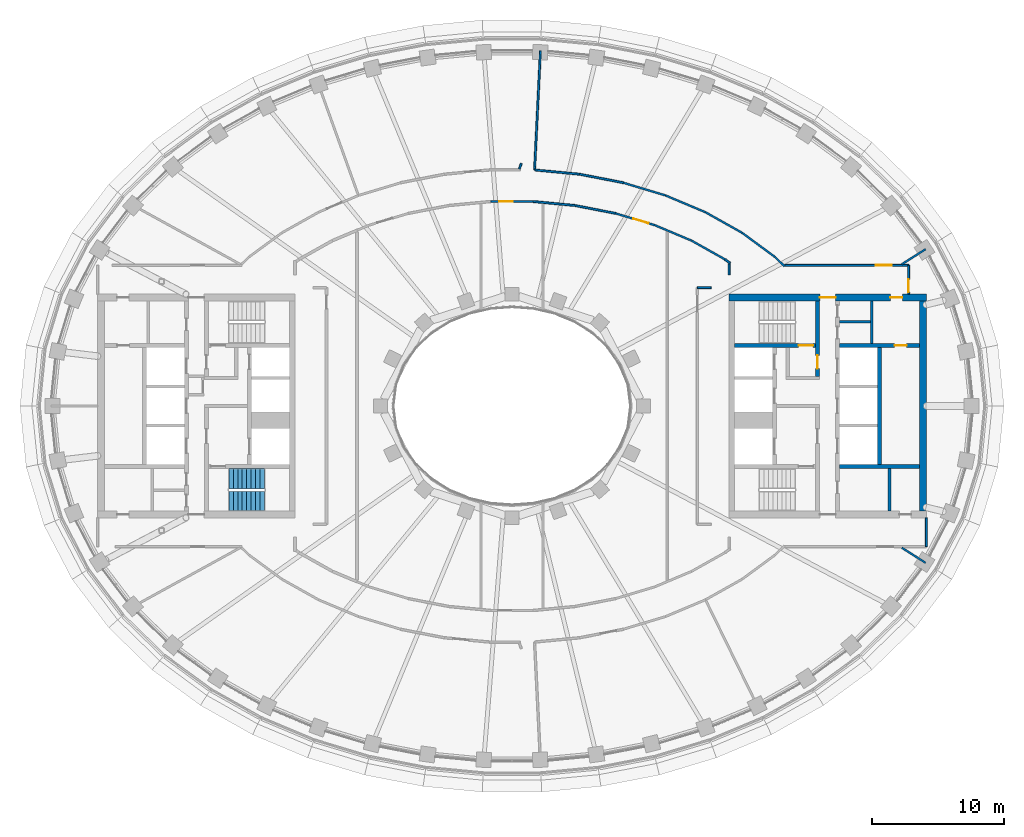
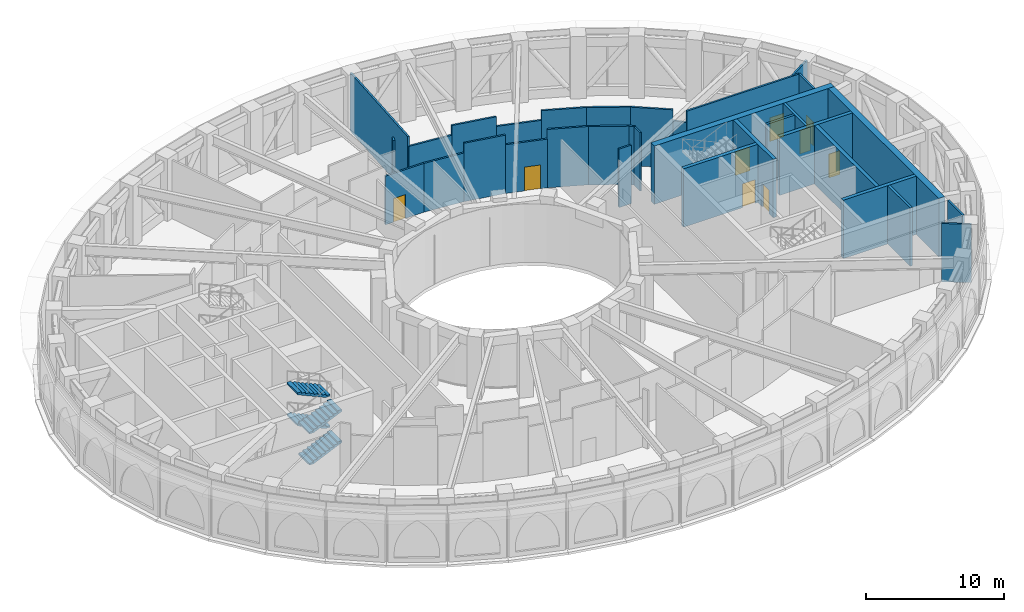
# One storey, part 9 of 25: 33 walls, 9 doors, 4 stair flights, 9 openings, 1 element without a shape of its own.
"""IFC4 building model written with IfcOpenShell, lengths in metres."""

from ifc_helpers import new_model, si_unit, direction, frame, frame_2d, origin, place, context, subcontext, project, spatial, polyline, rectangle, outline, extrude, material, layer, layer_set, type_object, element, fill, aggregate, save


model = new_model("IFC4")

# Units and contexts
model_context = context("Model", 3, precision=1e-05, world=origin(), true_north=direction((0.0, 1.0)))
body_context = subcontext(model_context, "Body", "Model", "MODEL_VIEW")
ifc_project = project(units=[si_unit("LENGTHUNIT", "METRE"), si_unit("AREAUNIT", "SQUARE_METRE"), si_unit("VOLUMEUNIT", "CUBIC_METRE"), si_unit("PLANEANGLEUNIT", "RADIAN"), si_unit("MASSUNIT", "GRAM", prefix="KILO")], contexts=[model_context])

# Site, building, storey
site_placement = place(None, origin())
site = spatial("IfcSite", under=ifc_project, at=site_placement, CompositionType="ELEMENT")
building_placement = place(site_placement, origin())
building = spatial("IfcBuilding", under=site, at=building_placement, Name="Noorbagh Ring Tower", CompositionType="ELEMENT")
storey_placement = place(building_placement, frame((0.0, 0.0, 198.0)))
storey = spatial("IfcBuildingStorey", under=building, at=storey_placement, Name="L46", CompositionType="ELEMENT", Elevation=198.0)

# Wall, opening, door
ifc_material_1 = material(Name="Gypsum board on steel studs", Category="steel")
ifc_layer_1 = layer(ifc_material_1, 0.14990234375)
ifc_layer_set_1 = layer_set([ifc_layer_1], Name="Gypsum board on steel studs")
wall_type_1 = type_object("IfcWallType", Name="COMPARTMENT PARTITION 150 EI 60", PredefinedType="PARTITIONING", material=ifc_layer_set_1)
wall_1_placement = place(storey_placement, frame((-1.60302734375, 15.548095703125, 0.0), z_axis=(0.0, 0.0, 1.0), x_axis=(1.0, 0.0, 0.0)))
wall_1 = element("IfcWall", 1, at=wall_1_placement, inside=storey, type_object=wall_type_1, Name="L46/wall/P48", PredefinedType="PARTITIONING", context=body_context, shape_type="SweptSolid", body=[
    extrude(rectangle(XDim=3.2060546875, YDim=0.14990234375, at=frame_2d((1.60302734375, 0.0))), origin(), (0.0, 0.0, 1.0), 4.300048828125),
])
opening_1_placement = place(wall_1_placement, frame((0.64990234375, 0.0, 0.0)))
opening_1 = element("IfcOpeningElement", 2, at=opening_1_placement, cuts=wall_1, Name="Opening D6", PredefinedType="OPENING", context=body_context, shape_type="SweptSolid", body=[
    extrude(rectangle(XDim=1.0, YDim=2.10009765625, at=frame_2d((0.5, 1.050048828125))), frame((0.0, 0.0849609375, 0.0), z_axis=(0.0, -1.0, 0.0), x_axis=(1.0, 0.0, 0.0)), (0.0, 0.0, 1.0), 0.169921875),
])
ifc_material_2 = material(Name="Timber, painted", Category="wood")
door_type_1 = type_object("IfcDoorType", Name="DOOR 1000 X 2100 FD60", OperationType="SINGLE_SWING_LEFT", PredefinedType="DOOR", material=ifc_material_2)
door_1_placement = place(opening_1_placement, origin())
door_1 = element("IfcDoor", 3, at=door_1_placement, inside=storey, type_object=door_type_1, Name="L46-D13", OperationType="SINGLE_SWING_LEFT", OverallHeight=2.10009765625, OverallWidth=1.0, PredefinedType="DOOR", context=body_context, shape_type="SweptSolid", body=[
    extrude(rectangle(XDim=1.0, YDim=2.10009765625, at=frame_2d((0.5, 1.050048828125))), frame((0.0, 0.02490234375, 0.0), z_axis=(0.0, -1.0, 0.0), x_axis=(1.0, 0.0, 0.0)), (0.0, 0.0, 1.0), 0.050048828125),
])
fill(opening_1, door_1)

# Walls
wall_2_placement = place(storey_placement, frame((0.56005859375, 18.02294921875, 0.0), z_axis=(0.0, 0.0, 1.0), x_axis=(0.337589988908, 0.941293258974, 0.0)))
element("IfcWall", 4, at=wall_2_placement, inside=storey, type_object=wall_type_1, Name="L46/wall/P50", PredefinedType="PARTITIONING", context=body_context, shape_type="SweptSolid", body=[
    extrude(rectangle(XDim=0.444091796875, YDim=0.14990234375, at=frame_2d((0.22216796875, 0.0))), origin(), (0.0, 0.0, 1.0), 5.14990234375),
])
wall_3_placement = place(storey_placement, frame((1.60302734375, 15.548095703125, 0.0), z_axis=(0.0, 0.0, 1.0), x_axis=(0.995455539839, -0.095227455097, 0.0)))
element("IfcWall", 5, at=wall_3_placement, inside=storey, type_object=wall_type_1, Name="L46/wall/P52", PredefinedType="PARTITIONING", context=body_context, shape_type="SweptSolid", body=[
    extrude(rectangle(XDim=3.1943359375, YDim=0.14990234375, at=frame_2d((1.59716796875, 0.0))), origin(), (0.0, 0.0, 1.0), 4.300048828125),
])
wall_4_placement = place(storey_placement, frame((1.717041015625, 17.951904296875, 0.0), z_axis=(0.0, 0.0, 1.0), x_axis=(0.049011179308, 0.998798230026, 0.0)))
element("IfcWall", 6, at=wall_4_placement, inside=storey, type_object=wall_type_1, Name="L46/wall/P54", PredefinedType="PARTITIONING", context=body_context, shape_type="SweptSolid", body=[
    extrude(rectangle(XDim=9.05615234375, YDim=0.14990234375, at=frame_2d((4.528076171875, 0.0))), origin(), (0.0, 0.0, 1.0), 5.14990234375),
])
wall_5_placement = place(storey_placement, frame((1.737060546875, 17.946044921875, 0.0), z_axis=(0.0, 0.0, 1.0), x_axis=(0.995491282675, -0.094853076484, 0.0)))
element("IfcWall", 7, at=wall_5_placement, inside=storey, type_object=wall_type_1, Name="L46/wall/P56", PredefinedType="PARTITIONING", context=body_context, shape_type="SweptSolid", body=[
    extrude(rectangle(XDim=3.4052734375, YDim=0.14990234375, at=frame_2d((1.70263671875, 0.0))), origin(), (0.0, 0.0, 1.0), 4.300048828125),
])
wall_6_placement = place(storey_placement, frame((4.782958984375, 15.243896484375, 0.0), z_axis=(0.0, 0.0, 1.0), x_axis=(0.981672390077, -0.190576280162, 0.0)))
element("IfcWall", 8, at=wall_6_placement, inside=storey, type_object=wall_type_1, Name="L46/wall/P60", PredefinedType="PARTITIONING", context=body_context, shape_type="SweptSolid", body=[
    extrude(rectangle(XDim=3.162841796875, YDim=0.14990234375, at=frame_2d((1.58154296875, 0.0))), origin(), (0.0, 0.0, 1.0), 5.14990234375),
])
wall_7_placement = place(storey_placement, frame((5.126953125, 17.623046875, 0.0), z_axis=(0.0, 0.0, 1.0), x_axis=(0.981613520879, -0.190879269771, 0.0)))
element("IfcWall", 9, at=wall_7_placement, inside=storey, type_object=wall_type_1, Name="L46/wall/P62", PredefinedType="PARTITIONING", context=body_context, shape_type="SweptSolid", body=[
    extrude(rectangle(XDim=3.399658203125, YDim=0.14990234375, at=frame_2d((1.69970703125, 0.0))), origin(), (0.0, 0.0, 1.0), 5.14990234375),
])

# Wall, opening, door
wall_8_placement = place(storey_placement, frame((7.887939453125, 14.64111328125, 0.0), z_axis=(0.0, 0.0, 1.0), x_axis=(0.957544770641, -0.28828460281, 0.0)))
wall_8 = element("IfcWall", 10, at=wall_8_placement, inside=storey, type_object=wall_type_1, Name="L46/wall/P64", PredefinedType="PARTITIONING", context=body_context, shape_type="SweptSolid", body=[
    extrude(rectangle(XDim=3.10791015625, YDim=0.14990234375, at=frame_2d((1.553955078125, 0.0))), origin(), (0.0, 0.0, 1.0), 4.300048828125),
])
opening_2_placement = place(wall_8_placement, frame((1.39990234375, 0.0, 0.0)))
opening_2 = element("IfcOpeningElement", 11, at=opening_2_placement, cuts=wall_8, Name="Opening D7", PredefinedType="OPENING", context=body_context, shape_type="SweptSolid", body=[
    extrude(rectangle(XDim=1.199951171875, YDim=2.10009765625, at=frame_2d((0.60009765625, 1.050048828125))), frame((0.0, 0.0849609375, 0.0), z_axis=(0.0, -1.0, 0.0), x_axis=(1.0, 0.0, 0.0)), (0.0, 0.0, 1.0), 0.169921875),
])
ifc_material_3 = material(Name="Timber, painted", Category="wood")
door_type_2 = type_object("IfcDoorType", Name="DOOR 1200 X 2100 FD60", OperationType="SINGLE_SWING_LEFT", PredefinedType="DOOR", material=ifc_material_3)
door_2_placement = place(opening_2_placement, origin())
door_2 = element("IfcDoor", 12, at=door_2_placement, inside=storey, type_object=door_type_2, Name="L46-D14", OperationType="SINGLE_SWING_RIGHT", OverallHeight=2.10009765625, OverallWidth=1.199951171875, PredefinedType="DOOR", context=body_context, shape_type="SweptSolid", body=[
    extrude(rectangle(XDim=1.199951171875, YDim=2.10009765625, at=frame_2d((0.60009765625, 1.050048828125))), frame((0.0, 0.02490234375, 0.0), z_axis=(0.0, -1.0, 0.0), x_axis=(1.0, 0.0, 0.0)), (0.0, 0.0, 1.0), 0.050048828125),
])
fill(opening_2, door_2)

# Walls
wall_9_placement = place(storey_placement, frame((8.464111328125, 16.97412109375, 0.0), z_axis=(0.0, 0.0, 1.0), x_axis=(0.957565546192, -0.28821558727, 0.0)))
element("IfcWall", 13, at=wall_9_placement, inside=storey, type_object=wall_type_1, Name="L46/wall/P66", PredefinedType="PARTITIONING", context=body_context, shape_type="SweptSolid", body=[
    extrude(rectangle(XDim=3.355224609375, YDim=0.14990234375, at=frame_2d((1.677734375, 0.0))), origin(), (0.0, 0.0, 1.0), 4.300048828125),
])
wall_10_placement = place(storey_placement, frame((10.864013671875, 13.7451171875, 0.0), z_axis=(0.0, 0.0, 1.0), x_axis=(0.92178263598, -0.387707069843, 0.0)))
element("IfcWall", 14, at=wall_10_placement, inside=storey, type_object=wall_type_1, Name="L46/wall/P68", PredefinedType="PARTITIONING", context=body_context, shape_type="SweptSolid", body=[
    extrude(rectangle(XDim=3.025634765625, YDim=0.14990234375, at=frame_2d((1.5126953125, 0.0))), origin(), (0.0, 0.0, 1.0), 5.14990234375),
])
wall_11_placement = place(storey_placement, frame((11.677001953125, 16.007080078125, 0.0), z_axis=(0.0, 0.0, 1.0), x_axis=(0.921795970681, -0.387675364753, 0.0)))
element("IfcWall", 15, at=wall_11_placement, inside=storey, type_object=wall_type_1, Name="L46/wall/P70", PredefinedType="PARTITIONING", context=body_context, shape_type="SweptSolid", body=[
    extrude(rectangle(XDim=3.289306640625, YDim=0.14990234375, at=frame_2d((1.64453125, 0.0))), origin(), (0.0, 0.0, 1.0), 5.14990234375),
])
wall_12_placement = place(storey_placement, frame((13.653076171875, 12.572021484375, 0.0), z_axis=(0.0, 0.0, 1.0), x_axis=(0.872138682379, -0.48925874412, 0.0)))
element("IfcWall", 16, at=wall_12_placement, inside=storey, type_object=wall_type_1, Name="L46/wall/P73", PredefinedType="PARTITIONING", context=body_context, shape_type="SweptSolid", body=[
    extrude(rectangle(XDim=2.91455078125, YDim=0.14990234375, at=frame_2d((1.457275390625, 0.0))), origin(), (0.0, 0.0, 1.0), 5.14990234375),
])
wall_13_placement = place(storey_placement, frame((14.10009765625, 9.0, 0.0), z_axis=(0.0, 0.0, 1.0), x_axis=(1.0, 0.0, 0.0)))
element("IfcWall", 17, at=wall_13_placement, inside=storey, type_object=wall_type_1, Name="L46/wall/P76", PredefinedType="PARTITIONING", context=body_context, shape_type="SweptSolid", body=[
    extrude(rectangle(XDim=1.033935546875, YDim=0.14990234375, at=frame_2d((0.51708984375, 0.0))), origin(), (0.0, 0.0, 1.0), 5.14990234375),
])
wall_14_placement = place(storey_placement, frame((14.708984375, 14.73193359375, 0.0), z_axis=(0.0, 0.0, 1.0), x_axis=(0.872039782413, -0.489434998635, 0.0)))
element("IfcWall", 18, at=wall_14_placement, inside=storey, type_object=wall_type_1, Name="L46/wall/P77", PredefinedType="PARTITIONING", context=body_context, shape_type="SweptSolid", body=[
    extrude(rectangle(XDim=3.199462890625, YDim=0.14990234375, at=frame_2d((1.599609375, 0.0))), origin(), (0.0, 0.0, 1.0), 5.14990234375),
])
wall_15_placement = place(storey_placement, frame((16.195068359375, 11.14599609375, 0.0), z_axis=(0.0, 0.0, 1.0), x_axis=(0.804938799391, -0.593357842482, 0.0)))
element("IfcWall", 19, at=wall_15_placement, inside=storey, type_object=wall_type_1, Name="L46/wall/P81", PredefinedType="PARTITIONING", context=body_context, shape_type="SweptSolid", body=[
    extrude(rectangle(XDim=0.471923828125, YDim=0.14990234375, at=frame_2d((0.23583984375, 0.0))), origin(), (0.0, 0.0, 1.0), 5.14990234375),
])
wall_16_placement = place(storey_placement, frame((16.5, 9.964111328125, 0.0), z_axis=(0.0, 0.0, 1.0), x_axis=(0.0, 1.0, 0.0)))
element("IfcWall", 20, at=wall_16_placement, inside=storey, type_object=wall_type_1, Name="L46/wall/P83", PredefinedType="PARTITIONING", context=body_context, shape_type="SweptSolid", body=[
    extrude(rectangle(XDim=0.86376953125, YDim=0.14990234375, at=frame_2d((0.431884765625, 0.0))), origin(), (0.0, 0.0, 1.0), 5.14990234375),
])
wall_17_placement = place(storey_placement, frame((17.4990234375, 13.166015625, 0.0), z_axis=(0.0, 0.0, 1.0), x_axis=(0.805191029373, -0.593015519373, 0.0)))
element("IfcWall", 21, at=wall_17_placement, inside=storey, type_object=wall_type_1, Name="L46/wall/P85", PredefinedType="PARTITIONING", context=body_context, shape_type="SweptSolid", body=[
    extrude(rectangle(XDim=3.0859375, YDim=0.14990234375, at=frame_2d((1.54296875, 0.0))), origin(), (0.0, 0.0, 1.0), 5.14990234375),
])
wall_18_placement = place(storey_placement, frame((19.98388671875, 11.3359375, 0.0), z_axis=(0.0, 0.0, 1.0), x_axis=(0.716971653665, -0.697102322361, 0.0)))
element("IfcWall", 22, at=wall_18_placement, inside=storey, type_object=wall_type_1, Name="L46/wall/P87", PredefinedType="PARTITIONING", context=body_context, shape_type="SweptSolid", body=[
    extrude(rectangle(XDim=1.019775390625, YDim=0.14990234375, at=frame_2d((0.509765625, 0.0))), origin(), (0.0, 0.0, 1.0), 4.199951171875),
])

# Wall, opening, door
wall_19_placement = place(storey_placement, frame((20.74609375, 10.699951171875, 0.0), z_axis=(0.0, 0.0, 1.0), x_axis=(1.0, 0.0, 0.0)))
wall_19 = element("IfcWall", 23, at=wall_19_placement, inside=storey, type_object=wall_type_1, Name="L46/wall/P89", PredefinedType="PARTITIONING", context=body_context, shape_type="SweptSolid", body=[
    extrude(rectangle(XDim=9.40380859375, YDim=0.14990234375, at=frame_2d((4.701904296875, 0.0))), origin(), (0.0, 0.0, 1.0), 5.14990234375),
])
opening_3_placement = place(wall_19_placement, frame((6.925048828125, 0.0, 0.0)))
opening_3 = element("IfcOpeningElement", 24, at=opening_3_placement, cuts=wall_19, Name="Opening D7", PredefinedType="OPENING", context=body_context, shape_type="SweptSolid", body=[
    extrude(rectangle(XDim=1.199951171875, YDim=2.10009765625, at=frame_2d((0.60009765625, 1.050048828125))), frame((0.0, 0.0849609375, 0.0), z_axis=(0.0, -1.0, 0.0), x_axis=(1.0, 0.0, 0.0)), (0.0, 0.0, 1.0), 0.169921875),
])
door_3_placement = place(opening_3_placement, origin())
door_3 = element("IfcDoor", 25, at=door_3_placement, inside=storey, type_object=door_type_2, Name="L46-D07", OperationType="SINGLE_SWING_LEFT", OverallHeight=2.10009765625, OverallWidth=1.199951171875, PredefinedType="DOOR", context=body_context, shape_type="SweptSolid", body=[
    extrude(rectangle(XDim=1.199951171875, YDim=2.10009765625, at=frame_2d((0.60009765625, 1.050048828125))), frame((0.0, 0.02490234375, 0.0), z_axis=(0.0, -1.0, 0.0), x_axis=(1.0, 0.0, 0.0)), (0.0, 0.0, 1.0), 0.050048828125),
])
fill(opening_3, door_3)

# Walls
for number, where, z_axis, x_axis, name in (
    (26, (29.636962890625, -10.777099609375, 0.0), (0.0, 0.0, 1.0), (0.844747041197, -0.535165802709, 0.0), "L46/wall/P90"),
    (27, (29.636962890625, 10.777099609375, 0.0), (0.0, 0.0, 1.0), (0.844747041197, 0.535165802709, 0.0), "L46/wall/P91"),
):
    element("IfcWall", number, at=place(storey_placement, frame(where, z_axis=z_axis, x_axis=x_axis)), inside=storey, type_object=wall_type_1, Name=name, PredefinedType="PARTITIONING", context=body_context, shape_type="SweptSolid", body=[
        extrude(rectangle(XDim=2.14501953125, YDim=0.14990234375, at=frame_2d((1.072509765625, 0.0))), origin(), (0.0, 0.0, 1.0), 5.14990234375),
    ])
wall_20_placement = place(storey_placement, frame((31.5, -10.699951171875, 0.0), z_axis=(0.0, 0.0, 1.0), x_axis=(0.0, 1.0, 0.0)))
element("IfcWall", 28, at=wall_20_placement, inside=storey, type_object=wall_type_1, Name="L46/wall/P92", PredefinedType="PARTITIONING", context=body_context, shape_type="SweptSolid", body=[
    extrude(rectangle(XDim=2.199951171875, YDim=0.14990234375, at=frame_2d((1.10009765625, 0.0))), origin(), (0.0, 0.0, 1.0), 5.14990234375),
])

# Wall, opening, door
wall_21_placement = place(storey_placement, frame((30.14990234375, 8.5, 0.0), z_axis=(0.0, 0.0, 1.0), x_axis=(0.0, 1.0, 0.0)))
wall_21 = element("IfcWall", 29, at=wall_21_placement, inside=storey, type_object=wall_type_1, Name="L46/wall/P93", PredefinedType="PARTITIONING", context=body_context, shape_type="SweptSolid", body=[
    extrude(rectangle(XDim=2.199951171875, YDim=0.14990234375, at=frame_2d((1.10009765625, 0.0))), origin(), (0.0, 0.0, 1.0), 5.14990234375),
])
opening_4_placement = place(wall_21_placement, frame((0.14990234375, 0.0, 0.0)))
opening_4 = element("IfcOpeningElement", 30, at=opening_4_placement, cuts=wall_21, Name="Opening D6", PredefinedType="OPENING", context=body_context, shape_type="SweptSolid", body=[
    extrude(rectangle(XDim=1.0, YDim=2.10009765625, at=frame_2d((0.5, 1.050048828125))), frame((0.0, 0.0849609375, 0.0), z_axis=(0.0, -1.0, 0.0), x_axis=(1.0, 0.0, 0.0)), (0.0, 0.0, 1.0), 0.169921875),
])
door_4_placement = place(opening_4_placement, origin())
door_4 = element("IfcDoor", 31, at=door_4_placement, inside=storey, type_object=door_type_1, Name="L46-D09", OperationType="SINGLE_SWING_LEFT", OverallHeight=2.10009765625, OverallWidth=1.0, PredefinedType="DOOR", context=body_context, shape_type="SweptSolid", body=[
    extrude(rectangle(XDim=1.0, YDim=2.10009765625, at=frame_2d((0.5, 1.050048828125))), frame((0.0, 0.02490234375, 0.0), z_axis=(0.0, -1.0, 0.0), x_axis=(1.0, 0.0, 0.0)), (0.0, 0.0, 1.0), 0.050048828125),
])
fill(opening_4, door_4)

# Walls
ifc_material_4 = material(Name="Gypsum board on steel studs", Category="steel")
ifc_layer_2 = layer(ifc_material_4, 0.199951171875)
ifc_layer_set_2 = layer_set([ifc_layer_2], Name="Gypsum board on steel studs")
wall_type_2 = type_object("IfcWallType", Name="CORE-PARTITION-200", PredefinedType="PARTITIONING", material=ifc_layer_set_2)
for number, where, z_axis, x_axis, name in (
    (32, (27.35009765625, 4.75, 0.0), (0.0, 0.0, 1.0), (0.0, 1.0, 0.0), "Core partition E"),
    (33, (28.699951171875, -8.0, 0.0), (0.0, 0.0, 1.0), (0.0, 1.0, 0.0), "Core partition E"),
):
    element("IfcWall", number, at=place(storey_placement, frame(where, z_axis=z_axis, x_axis=x_axis)), inside=storey, type_object=wall_type_2, Name=name, PredefinedType="PARTITIONING", context=body_context, shape_type="SweptSolid", body=[
        extrude(rectangle(XDim=3.25, YDim=0.199951171875, at=frame_2d((1.625, 0.0))), origin(), (0.0, 0.0, 1.0), 5.14990234375),
    ])
wall_22_placement = place(storey_placement, frame((24.89990234375, 6.39990234375, 0.0), z_axis=(0.0, 0.0, 1.0), x_axis=(1.0, 0.0, 0.0)))
element("IfcWall", 34, at=wall_22_placement, inside=storey, type_object=wall_type_2, Name="Core partition E", PredefinedType="PARTITIONING", context=body_context, shape_type="SweptSolid", body=[
    extrude(rectangle(XDim=2.35009765625, YDim=0.199951171875, at=frame_2d((1.175048828125, 0.0))), origin(), (0.0, 0.0, 1.0), 5.14990234375),
])
ifc_material_5 = material(Name="Concrete C60/75", Category="concrete")
ifc_layer_3 = layer(ifc_material_5, 0.300048828125)
ifc_layer_set_3 = layer_set([ifc_layer_3], Name="Concrete C60/75")
wall_type_3 = type_object("IfcWallType", Name="CORE-WALL-300-C60-75-EI120", PredefinedType="SHEAR", material=ifc_layer_set_3)
wall_23_placement = place(storey_placement, frame((27.949951171875, -4.449951171875, 0.0), z_axis=(0.0, 0.0, 1.0), x_axis=(0.0, 1.0, 0.0)))
element("IfcWall", 35, at=wall_23_placement, inside=storey, type_object=wall_type_3, Name="Core wall E", PredefinedType="SHEAR", context=body_context, shape_type="SweptSolid", body=[
    extrude(rectangle(XDim=8.89990234375, YDim=0.300048828125, at=frame_2d((4.449951171875, 0.0))), origin(), (0.0, 0.0, 1.0), 5.14990234375),
])

# Wall, opening, door
ifc_material_6 = material(Name="Concrete C60/75", Category="concrete")
ifc_layer_4 = layer(ifc_material_6, 0.300048828125)
ifc_layer_set_4 = layer_set([ifc_layer_4], Name="Concrete C60/75")
wall_type_4 = type_object("IfcWallType", Name="CORE-WALL-300-C60-75-EI240", PredefinedType="SHEAR", material=ifc_layer_set_4)
wall_24_placement = place(storey_placement, frame((24.89990234375, 4.60009765625, 0.0), z_axis=(0.0, 0.0, 1.0), x_axis=(1.0, 0.0, 0.0)))
wall_24 = element("IfcWall", 36, at=wall_24_placement, inside=storey, type_object=wall_type_4, Name="Core wall E", PredefinedType="SHEAR", context=body_context, shape_type="SweptSolid", body=[
    extrude(rectangle(XDim=6.10009765625, YDim=0.300048828125, at=frame_2d((3.050048828125, 0.0))), origin(), (0.0, 0.0, 1.0), 5.14990234375),
])
opening_5_placement = place(wall_24_placement, frame((4.199951171875, 0.0, 0.0)))
opening_5 = element("IfcOpeningElement", 37, at=opening_5_placement, cuts=wall_24, Name="Opening L46-CE18", PredefinedType="OPENING", context=body_context, shape_type="SweptSolid", body=[
    extrude(rectangle(XDim=0.89990234375, YDim=2.10009765625, at=frame_2d((0.449951171875, 1.050048828125))), frame((0.0, 0.16015625, 0.0), z_axis=(0.0, -1.0, 0.0), x_axis=(1.0, 0.0, 0.0)), (0.0, 0.0, 1.0), 0.320068359375),
])
ifc_material_7 = material(Name="Steel door leaf", Category="steel")
door_type_3 = type_object("IfcDoorType", Name="CORE-DOOR-DROOM", OperationType="SINGLE_SWING_LEFT", PredefinedType="DOOR", material=ifc_material_7)
door_5_placement = place(opening_5_placement, origin())
door_5 = element("IfcDoor", 38, at=door_5_placement, inside=storey, type_object=door_type_3, Name="Core room door L46-CE18", OperationType="SINGLE_SWING_RIGHT", OverallHeight=2.10009765625, OverallWidth=0.89990234375, PredefinedType="DOOR", context=body_context, shape_type="SweptSolid", body=[
    extrude(rectangle(XDim=0.89990234375, YDim=2.10009765625, at=frame_2d((0.449951171875, 1.050048828125))), frame((0.0, 0.02490234375, 0.0), z_axis=(0.0, -1.0, 0.0), x_axis=(1.0, 0.0, 0.0)), (0.0, 0.0, 1.0), 0.050048828125),
])
fill(opening_5, door_5)

# Wall
wall_25_placement = place(storey_placement, frame((24.89990234375, -4.60009765625, 0.0), z_axis=(0.0, 0.0, 1.0), x_axis=(1.0, 0.0, 0.0)))
element("IfcWall", 39, at=wall_25_placement, inside=storey, type_object=wall_type_4, Name="Core wall E", PredefinedType="SHEAR", context=body_context, shape_type="SweptSolid", body=[
    extrude(rectangle(XDim=6.10009765625, YDim=0.300048828125, at=frame_2d((3.050048828125, 0.0))), origin(), (0.0, 0.0, 1.0), 5.14990234375),
])

# Wall, opening, door
wall_26_placement = place(storey_placement, frame((23.22998046875, 2.25, 0.0), z_axis=(0.0, 0.0, 1.0), x_axis=(0.0, 1.0, 0.0)))
wall_26 = element("IfcWall", 40, at=wall_26_placement, inside=storey, type_object=wall_type_4, Name="Core wall E", PredefinedType="SHEAR", context=body_context, shape_type="SweptSolid", body=[
    extrude(rectangle(XDim=5.75, YDim=0.300048828125, at=frame_2d((2.875, 0.0))), origin(), (0.0, 0.0, 1.0), 5.14990234375),
])
opening_6_placement = place(wall_26_placement, frame((0.60009765625, 0.0, 0.0)))
opening_6 = element("IfcOpeningElement", 41, at=opening_6_placement, cuts=wall_26, Name="Opening L46-CE10", PredefinedType="OPENING", context=body_context, shape_type="SweptSolid", body=[
    extrude(rectangle(XDim=1.0, YDim=2.10009765625, at=frame_2d((0.5, 1.050048828125))), frame((0.0, 0.16015625, 0.0), z_axis=(0.0, -1.0, 0.0), x_axis=(1.0, 0.0, 0.0)), (0.0, 0.0, 1.0), 0.320068359375),
])
ifc_material_8 = material(Name="Steel door leaf", Category="steel")
door_type_4 = type_object("IfcDoorType", Name="CORE-DOOR-DVEST", OperationType="SINGLE_SWING_LEFT", PredefinedType="DOOR", material=ifc_material_8)
door_6_placement = place(opening_6_placement, origin())
door_6 = element("IfcDoor", 42, at=door_6_placement, inside=storey, type_object=door_type_4, Name="Stair vestibule door L46-CE10", OperationType="SINGLE_SWING_RIGHT", OverallHeight=2.10009765625, OverallWidth=1.0, PredefinedType="DOOR", context=body_context, shape_type="SweptSolid", body=[
    extrude(rectangle(XDim=1.0, YDim=2.10009765625, at=frame_2d((0.5, 1.050048828125))), frame((0.0, 0.02490234375, 0.0), z_axis=(0.0, -1.0, 0.0), x_axis=(1.0, 0.0, 0.0)), (0.0, 0.0, 1.0), 0.050048828125),
])
fill(opening_6, door_6)

wall_27_placement = place(storey_placement, frame((16.89990234375, 4.60009765625, 0.0), z_axis=(0.0, 0.0, 1.0), x_axis=(1.0, 0.0, 0.0)))
wall_27 = element("IfcWall", 43, at=wall_27_placement, inside=storey, type_object=wall_type_4, Name="Core wall E", PredefinedType="SHEAR", context=body_context, shape_type="SweptSolid", body=[
    extrude(rectangle(XDim=6.18017578125, YDim=0.300048828125, at=frame_2d((3.090087890625, 0.0))), origin(), (0.0, 0.0, 1.0), 5.14990234375),
])
opening_7_placement = place(wall_27_placement, frame((4.89990234375, 0.0, 0.0)))
opening_7 = element("IfcOpeningElement", 44, at=opening_7_placement, cuts=wall_27, Name="Opening L46-CE07", PredefinedType="OPENING", context=body_context, shape_type="SweptSolid", body=[
    extrude(rectangle(XDim=1.10009765625, YDim=2.10009765625, at=frame_2d((0.550048828125, 1.050048828125))), frame((0.0, 0.16015625, 0.0), z_axis=(0.0, -1.0, 0.0), x_axis=(1.0, 0.0, 0.0)), (0.0, 0.0, 1.0), 0.320068359375),
])
ifc_material_9 = material(Name="Steel door leaf", Category="steel")
door_type_5 = type_object("IfcDoorType", Name="CORE-DOOR-DSTAIR", OperationType="SINGLE_SWING_LEFT", PredefinedType="DOOR", material=ifc_material_9)
door_7_placement = place(opening_7_placement, origin())
door_7 = element("IfcDoor", 45, at=door_7_placement, inside=storey, type_object=door_type_5, Name="Stair door ST3 L46-CE07", OperationType="SINGLE_SWING_LEFT", OverallHeight=2.10009765625, OverallWidth=1.10009765625, PredefinedType="DOOR", context=body_context, shape_type="SweptSolid", body=[
    extrude(rectangle(XDim=1.10009765625, YDim=2.10009765625, at=frame_2d((0.550048828125, 1.050048828125))), frame((0.0, 0.02490234375, 0.0), z_axis=(0.0, -1.0, 0.0), x_axis=(1.0, 0.0, 0.0)), (0.0, 0.0, 1.0), 0.050048828125),
])
fill(opening_7, door_7)

# Wall, openings, doors
ifc_material_10 = material(Name="Concrete C60/75", Category="concrete")
ifc_layer_5 = layer(ifc_material_10, 0.5)
ifc_layer_set_5 = layer_set([ifc_layer_5], Name="Concrete C60/75")
wall_type_5 = type_object("IfcWallType", Name="CORE-WALL-500-C60-75-EI240", PredefinedType="SHEAR", material=ifc_layer_set_5)
wall_28_placement = place(storey_placement, frame((16.5, 8.25, 0.0), z_axis=(0.0, 0.0, 1.0), x_axis=(1.0, 0.0, 0.0)))
wall_28 = element("IfcWall", 46, at=wall_28_placement, inside=storey, type_object=wall_type_5, Name="Core wall E", PredefinedType="SHEAR", context=body_context, shape_type="SweptSolid", body=[
    extrude(rectangle(XDim=15.0, YDim=0.5, at=frame_2d((7.5, 0.0))), origin(), (0.0, 0.0, 1.0), 5.14990234375),
])
opening_8_placement = place(wall_28_placement, frame((6.89990234375, 0.0, 0.0)))
opening_8 = element("IfcOpeningElement", 47, at=opening_8_placement, cuts=wall_28, Name="Opening L46-CE11", PredefinedType="OPENING", context=body_context, shape_type="SweptSolid", body=[
    extrude(rectangle(XDim=1.199951171875, YDim=2.10009765625, at=frame_2d((0.60009765625, 1.050048828125))), frame((0.0, 0.260009765625, 0.0), z_axis=(0.0, -1.0, 0.0), x_axis=(1.0, 0.0, 0.0)), (0.0, 0.0, 1.0), 0.52001953125),
])
opening_9_placement = place(wall_28_placement, frame((12.27490234375, 0.0, 0.0)))
opening_9 = element("IfcOpeningElement", 48, at=opening_9_placement, cuts=wall_28, Name="Opening L46-CE15", PredefinedType="OPENING", context=body_context, shape_type="SweptSolid", body=[
    extrude(rectangle(XDim=0.89990234375, YDim=2.10009765625, at=frame_2d((0.449951171875, 1.050048828125))), frame((0.0, 0.260009765625, 0.0), z_axis=(0.0, -1.0, 0.0), x_axis=(1.0, 0.0, 0.0)), (0.0, 0.0, 1.0), 0.52001953125),
])
door_8_placement = place(opening_9_placement, origin())
door_8 = element("IfcDoor", 49, at=door_8_placement, inside=storey, type_object=door_type_3, Name="Core room door L46-CE15", OperationType="SINGLE_SWING_LEFT", OverallHeight=2.10009765625, OverallWidth=0.89990234375, PredefinedType="DOOR", context=body_context, shape_type="SweptSolid", body=[
    extrude(rectangle(XDim=0.89990234375, YDim=2.10009765625, at=frame_2d((0.449951171875, 1.050048828125))), frame((0.0, 0.02490234375, 0.0), z_axis=(0.0, -1.0, 0.0), x_axis=(1.0, 0.0, 0.0)), (0.0, 0.0, 1.0), 0.050048828125),
])
fill(opening_9, door_8)
ifc_material_11 = material(Name="Steel door leaf", Category="steel")
door_type_6 = type_object("IfcDoorType", Name="CORE-DOOR-PORT", OperationType="DOUBLE_DOOR_DOUBLE_SWING", PredefinedType="DOOR", material=ifc_material_11)
door_9_placement = place(opening_8_placement, origin())
door_9 = element("IfcDoor", 50, at=door_9_placement, inside=storey, type_object=door_type_6, Name="Core entrance door L46-CE11", OperationType="DOUBLE_DOOR_DOUBLE_SWING", OverallHeight=2.10009765625, OverallWidth=1.199951171875, PredefinedType="DOOR", context=body_context, shape_type="SweptSolid", body=[
    extrude(rectangle(XDim=1.199951171875, YDim=2.10009765625, at=frame_2d((0.60009765625, 1.050048828125))), frame((0.0, 0.02490234375, 0.0), z_axis=(0.0, -1.0, 0.0), x_axis=(1.0, 0.0, 0.0)), (0.0, 0.0, 1.0), 0.050048828125),
])
fill(opening_8, door_9)

# Wall
wall_29_placement = place(storey_placement, frame((31.25, -8.0, 0.0), z_axis=(0.0, 0.0, 1.0), x_axis=(0.0, 1.0, 0.0)))
element("IfcWall", 51, at=wall_29_placement, inside=storey, type_object=wall_type_5, Name="Core wall E", PredefinedType="SHEAR", context=body_context, shape_type="SweptSolid", body=[
    extrude(rectangle(XDim=16.0, YDim=0.5, at=frame_2d((8.0, 0.0))), origin(), (0.0, 0.0, 1.0), 5.14990234375),
])

# Stair, stair flights
ifc_material_12 = material(Name="Concrete C40/50", Category="concrete")
stair_type = type_object("IfcStairType", Name="CORE-STAIR", PredefinedType="HALF_TURN_STAIR", material=ifc_material_12)
stair_placement = place(storey_placement, origin())
stair = element("IfcStair", 52, at=stair_placement, inside=storey, type_object=stair_type, Name="L46 Exit stair ST2", PredefinedType="HALF_TURN_STAIR")
ifc_material_13 = material(Name="Concrete C40/50", Category="concrete")
stair_flight_type = type_object("IfcStairFlightType", Name="CORE-STAIR-FLIGHT", PredefinedType="STRAIGHT", material=ifc_material_13)
stair_flight_1_placement = place(storey_placement, frame((-21.530029296875, -7.22509765625, 0.0), z_axis=(0.0, 0.0, 1.0), x_axis=(1.0, 0.0, 0.0)))
stair_flight_1 = element("IfcStairFlight", 53, at=stair_flight_1_placement, type_object=stair_flight_type, Name="ST2 flight 1", NumberOfRisers=9, NumberOfTreads=8, PredefinedType="STRAIGHT", RiserHeight=0.152777778, TreadLength=0.34, context=body_context, shape_type="SweptSolid", body=[
    extrude(outline(polyline([(0.0, 0.0), (0.0, 0.15283203125), (0.340087890625, 0.15283203125), (0.340087890625, 0.3056640625), (0.679931640625, 0.3056640625), (0.679931640625, 0.458251953125), (1.02001953125, 0.458251953125), (1.02001953125, 0.611083984375), (1.360107421875, 0.611083984375), (1.360107421875, 0.763916015625), (1.699951171875, 0.763916015625), (1.699951171875, 0.916748046875), (2.0400390625, 0.916748046875), (2.0400390625, 1.0693359375), (2.3798828125, 1.0693359375), (2.3798828125, 1.22216796875), (2.719970703125, 1.22216796875), (2.719970703125, 1.375), (2.719970703125, 1.057861328125), (0.36572265625, 0.0), (0.0, 0.0)])), frame((0.0, 0.77490234375, 0.0), z_axis=(0.0, -1.0, 0.0), x_axis=(1.0, 0.0, 0.0)), (0.0, 0.0, 1.0), 1.550048828125),
])
stair_flight_2_placement = place(storey_placement, frame((-18.81005859375, -5.52490234375, 1.375), z_axis=(0.0, 0.0, 1.0), x_axis=(-1.0, 0.0, 0.0)))
stair_flight_2 = element("IfcStairFlight", 54, at=stair_flight_2_placement, type_object=stair_flight_type, Name="ST2 flight 2", NumberOfRisers=9, NumberOfTreads=8, PredefinedType="STRAIGHT", RiserHeight=0.152777778, TreadLength=0.34, context=body_context, shape_type="SweptSolid", body=[
    extrude(outline(polyline([(0.0, 0.0), (0.0, 0.15283203125), (0.340087890625, 0.15283203125), (0.340087890625, 0.3056640625), (0.679931640625, 0.3056640625), (0.679931640625, 0.458251953125), (1.02001953125, 0.458251953125), (1.02001953125, 0.611083984375), (1.360107421875, 0.611083984375), (1.360107421875, 0.763916015625), (1.699951171875, 0.763916015625), (1.699951171875, 0.916748046875), (2.0400390625, 0.916748046875), (2.0400390625, 1.0693359375), (2.3798828125, 1.0693359375), (2.3798828125, 1.22216796875), (2.719970703125, 1.22216796875), (2.719970703125, 1.375), (2.719970703125, 1.057861328125), (0.36572265625, 0.0), (0.0, 0.0)])), frame((0.0, 0.77490234375, 0.0), z_axis=(0.0, -1.0, 0.0), x_axis=(1.0, 0.0, 0.0)), (0.0, 0.0, 1.0), 1.550048828125),
])
stair_flight_3_placement = place(storey_placement, frame((-21.530029296875, -7.22509765625, 2.75), z_axis=(0.0, 0.0, 1.0), x_axis=(1.0, 0.0, 0.0)))
stair_flight_3 = element("IfcStairFlight", 55, at=stair_flight_3_placement, type_object=stair_flight_type, Name="ST2 flight 3", NumberOfRisers=9, NumberOfTreads=8, PredefinedType="STRAIGHT", RiserHeight=0.152777778, TreadLength=0.34, context=body_context, shape_type="SweptSolid", body=[
    extrude(outline(polyline([(0.0, 0.0), (0.0, 0.15283203125), (0.340087890625, 0.15283203125), (0.340087890625, 0.3056640625), (0.679931640625, 0.3056640625), (0.679931640625, 0.458251953125), (1.02001953125, 0.458251953125), (1.02001953125, 0.611083984375), (1.360107421875, 0.611083984375), (1.360107421875, 0.763916015625), (1.699951171875, 0.763916015625), (1.699951171875, 0.916748046875), (2.0400390625, 0.916748046875), (2.0400390625, 1.0693359375), (2.3798828125, 1.0693359375), (2.3798828125, 1.22216796875), (2.719970703125, 1.22216796875), (2.719970703125, 1.375), (2.719970703125, 1.057861328125), (0.36572265625, 0.0), (0.0, 0.0)])), frame((0.0, 0.77490234375, 0.0), z_axis=(0.0, -1.0, 0.0), x_axis=(1.0, 0.0, 0.0)), (0.0, 0.0, 1.0), 1.550048828125),
])
stair_flight_4_placement = place(storey_placement, frame((-18.81005859375, -5.52490234375, 4.125), z_axis=(0.0, 0.0, 1.0), x_axis=(-1.0, 0.0, 0.0)))
stair_flight_4 = element("IfcStairFlight", 56, at=stair_flight_4_placement, type_object=stair_flight_type, Name="ST2 flight 4", NumberOfRisers=9, NumberOfTreads=8, PredefinedType="STRAIGHT", RiserHeight=0.152777778, TreadLength=0.34, context=body_context, shape_type="SweptSolid", body=[
    extrude(outline(polyline([(0.0, 0.0), (0.0, 0.15283203125), (0.340087890625, 0.15283203125), (0.340087890625, 0.3056640625), (0.679931640625, 0.3056640625), (0.679931640625, 0.458251953125), (1.02001953125, 0.458251953125), (1.02001953125, 0.611083984375), (1.360107421875, 0.611083984375), (1.360107421875, 0.763916015625), (1.699951171875, 0.763916015625), (1.699951171875, 0.916748046875), (2.0400390625, 0.916748046875), (2.0400390625, 1.0693359375), (2.3798828125, 1.0693359375), (2.3798828125, 1.22216796875), (2.719970703125, 1.22216796875), (2.719970703125, 1.375), (2.719970703125, 1.057861328125), (0.36572265625, 0.0), (0.0, 0.0)])), frame((0.0, 0.77490234375, 0.0), z_axis=(0.0, -1.0, 0.0), x_axis=(1.0, 0.0, 0.0)), (0.0, 0.0, 1.0), 1.550048828125),
])
aggregate(stair, [stair_flight_1, stair_flight_2, stair_flight_3, stair_flight_4])

save(model, "model.ifc")
